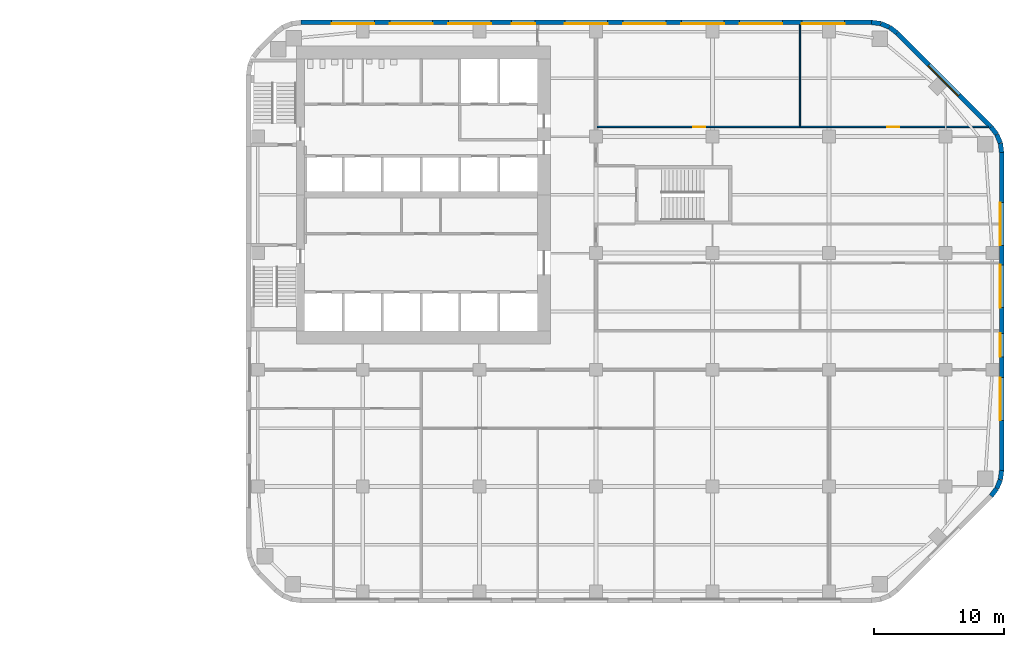
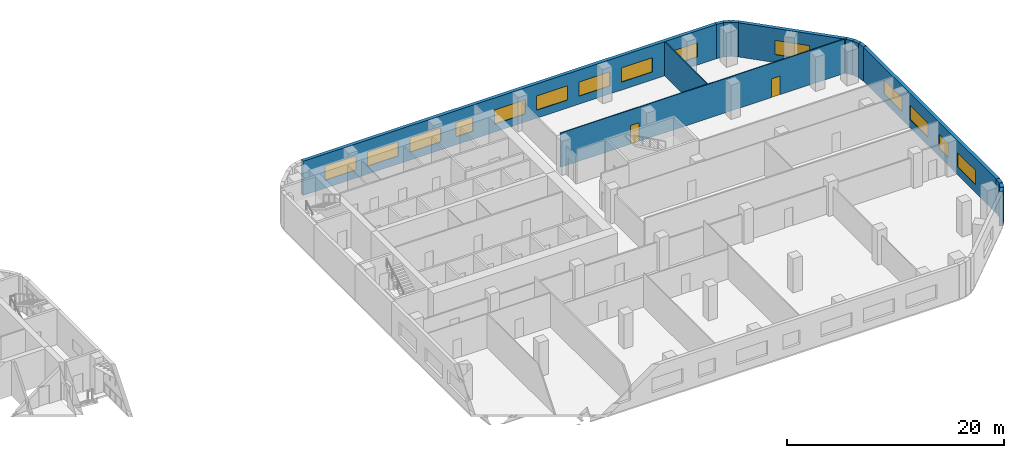
# One storey, part 12 of 16: 14 walls, 14 windows, 2 doors, 16 openings.
"""IFC4 building model written with IfcOpenShell, lengths in metres."""

from ifc_helpers import new_model, si_unit, direction, frame, frame_2d, origin, place, context, subcontext, project, spatial, rectangle, extrude, material, layer, layer_set, type_object, element, fill, save


model = new_model("IFC4")

# Units and contexts
model_context = context("Model", 3, precision=1e-05, world=origin(), true_north=direction((0.0, 1.0)))
body_context = subcontext(model_context, "Body", "Model", "MODEL_VIEW")
ifc_project = project(units=[si_unit("LENGTHUNIT", "METRE"), si_unit("AREAUNIT", "SQUARE_METRE"), si_unit("VOLUMEUNIT", "CUBIC_METRE"), si_unit("PLANEANGLEUNIT", "RADIAN"), si_unit("MASSUNIT", "GRAM", prefix="KILO")], contexts=[model_context])

# Site, building, storey
site_placement = place(None, origin())
site = spatial("IfcSite", under=ifc_project, at=site_placement, CompositionType="ELEMENT")
building_placement = place(site_placement, origin())
building = spatial("IfcBuilding", under=site, at=building_placement, Name="Cinnabar Reach Civic Tower", CompositionType="ELEMENT")
storey_placement = place(building_placement, frame((0.0, 0.0, 30.0)))
storey = spatial("IfcBuildingStorey", under=building, at=storey_placement, Name="L06", CompositionType="ELEMENT", Elevation=30.0)

# Walls
ifc_material_1 = material(Name="Facing brick with insulated backing", Category="masonry")
ifc_layer_1 = layer(ifc_material_1, 0.36)
ifc_layer_set_1 = layer_set([ifc_layer_1], Name="Brick corner wall")
wall_type_1 = type_object("IfcWallType", Name="Brick corner wall", PredefinedType="STANDARD", material=ifc_layer_set_1)
wall_1_placement = place(storey_placement, frame((57.4998, 8.2587, 0.0), z_axis=(0.0, 0.0, 1.0), x_axis=(0.608802368033, 0.793321924995, 0.0)))
element("IfcWall", 1, at=wall_1_placement, inside=storey, type_object=wall_type_1, Name="Brick corner wall", PredefinedType="STANDARD", context=body_context, shape_type="SweptSolid", body=[
    extrude(rectangle(XDim=0.7132, YDim=0.36, at=frame_2d((0.3566, 0.0))), origin(), (0.0, 0.0, 1.0), 3.85),
])
for number, where, z_axis, x_axis, name in (
    (2, (57.9452, 8.8439, 0.0), (0.0, 0.0, 1.0), (0.382702709855, 0.923871547278, 0.0), "Brick corner wall"),
    (3, (58.2239, 9.5244, 0.0), (0.0, 0.0, 1.0), (0.13055608231, 0.99144092581, 0.0), "Brick corner wall"),
    (4, (58.317, 34.7686, 0.0), (0.0, 0.0, 1.0), (-0.13055608231, 0.99144092581, 0.0), "Brick corner wall"),
    (5, (58.2181, 35.4973, 0.0), (0.0, 0.0, 1.0), (-0.382702709855, 0.923871547278, 0.0), "Brick corner wall"),
):
    element("IfcWall", number, at=place(storey_placement, frame(where, z_axis=z_axis, x_axis=x_axis)), inside=storey, type_object=wall_type_1, Name=name, PredefinedType="STANDARD", context=body_context, shape_type="SweptSolid", body=[
        extrude(rectangle(XDim=0.7131, YDim=0.36, at=frame_2d((0.3565, 0.0))), origin(), (0.0, 0.0, 1.0), 3.85),
    ])
for number, where, z_axis, x_axis, name in (
    (6, (57.934, 36.1755, 0.0), (0.0, 0.0, 1.0), (-0.608802368033, 0.793321924995, 0.0), "Brick corner wall"),
    (7, (50.2413, 43.9998, 0.0), (0.0, 0.0, 1.0), (-0.793321924995, 0.608802368033, 0.0), "Brick corner wall"),
):
    element("IfcWall", number, at=place(storey_placement, frame(where, z_axis=z_axis, x_axis=x_axis)), inside=storey, type_object=wall_type_1, Name=name, PredefinedType="STANDARD", context=body_context, shape_type="SweptSolid", body=[
        extrude(rectangle(XDim=0.7132, YDim=0.36, at=frame_2d((0.3566, 0.0))), origin(), (0.0, 0.0, 1.0), 3.85),
    ])
for number, where, z_axis, x_axis, name in (
    (8, (49.6561, 44.4452, 0.0), (0.0, 0.0, 1.0), (-0.923871547278, 0.382702709855, 0.0), "Brick corner wall"),
    (9, (48.9756, 44.7239, 0.0), (0.0, 0.0, 1.0), (-0.99144092581, 0.13055608231, 0.0), "Brick corner wall"),
):
    element("IfcWall", number, at=place(storey_placement, frame(where, z_axis=z_axis, x_axis=x_axis)), inside=storey, type_object=wall_type_1, Name=name, PredefinedType="STANDARD", context=body_context, shape_type="SweptSolid", body=[
        extrude(rectangle(XDim=0.7131, YDim=0.36, at=frame_2d((0.3565, 0.0))), origin(), (0.0, 0.0, 1.0), 3.85),
    ])

# Wall, openings, windows
ifc_layer_2 = layer(ifc_material_1, 0.36)
ifc_layer_set_2 = layer_set([ifc_layer_2], Name="Brick pier and spandrel wall")
wall_type_2 = type_object("IfcWallType", Name="Brick pier and spandrel wall", PredefinedType="STANDARD", material=ifc_layer_set_2)
wall_2_placement = place(storey_placement, frame((58.32, 10.2426, 0.0), z_axis=(0.0, 0.0, 1.0), x_axis=(0.0, 1.0, 0.0)))
wall_2 = element("IfcWall", 10, at=wall_2_placement, inside=storey, type_object=wall_type_2, Name="Brick facade wall", PredefinedType="STANDARD", context=body_context, shape_type="SweptSolid", body=[
    extrude(rectangle(XDim=24.5148, YDim=0.36, at=frame_2d((12.2574, 0.0))), origin(), (0.0, 0.0, 1.0), 3.85),
])
opening_1_placement = place(wall_2_placement, frame((3.8574, 0.0, 0.9)))
opening_1 = element("IfcOpeningElement", 11, at=opening_1_placement, cuts=wall_2, Name="Opening W1034", PredefinedType="OPENING", context=body_context, shape_type="SweptSolid", body=[
    extrude(rectangle(XDim=3.3, YDim=1.6, at=frame_2d((1.65, 0.8))), frame((0.0, 0.19, 0.0), z_axis=(0.0, -1.0, 0.0), x_axis=(1.0, 0.0, 0.0)), (0.0, 0.0, 1.0), 0.38),
])
opening_2_placement = place(wall_2_placement, frame((8.7574, 0.0, 0.9)))
opening_2 = element("IfcOpeningElement", 12, at=opening_2_placement, cuts=wall_2, Name="Opening W1035", PredefinedType="OPENING", context=body_context, shape_type="SweptSolid", body=[
    extrude(rectangle(XDim=1.8, YDim=1.6, at=frame_2d((0.9, 0.8))), frame((0.0, 0.19, 0.0), z_axis=(0.0, -1.0, 0.0), x_axis=(1.0, 0.0, 0.0)), (0.0, 0.0, 1.0), 0.38),
])
opening_3_placement = place(wall_2_placement, frame((12.5574, 0.0, 0.9)))
opening_3 = element("IfcOpeningElement", 13, at=opening_3_placement, cuts=wall_2, Name="Opening W1036", PredefinedType="OPENING", context=body_context, shape_type="SweptSolid", body=[
    extrude(rectangle(XDim=3.3, YDim=1.6, at=frame_2d((1.65, 0.8))), frame((0.0, 0.19, 0.0), z_axis=(0.0, -1.0, 0.0), x_axis=(1.0, 0.0, 0.0)), (0.0, 0.0, 1.0), 0.38),
])
opening_4_placement = place(wall_2_placement, frame((17.3574, 0.0, 0.9)))
opening_4 = element("IfcOpeningElement", 14, at=opening_4_placement, cuts=wall_2, Name="Opening W1037", PredefinedType="OPENING", context=body_context, shape_type="SweptSolid", body=[
    extrude(rectangle(XDim=3.3, YDim=1.6, at=frame_2d((1.65, 0.8))), frame((0.0, 0.19, 0.0), z_axis=(0.0, -1.0, 0.0), x_axis=(1.0, 0.0, 0.0)), (0.0, 0.0, 1.0), 0.38),
])
ifc_material_2 = material(Name="Clear double glazing in aluminium frame", Category="aluminium")
window_type_1 = type_object("IfcWindowType", Name="Deep-set window A", PartitioningType="SINGLE_PANEL", PredefinedType="WINDOW", material=ifc_material_2)
window_1_placement = place(opening_1_placement, origin())
window_1 = element("IfcWindow", 15, at=window_1_placement, inside=storey, type_object=window_type_1, Name="Window east face", OverallHeight=1.6, OverallWidth=3.3, PartitioningType="SINGLE_PANEL", PredefinedType="WINDOW", context=body_context, shape_type="SweptSolid", body=[
    extrude(rectangle(XDim=3.3, YDim=1.6, at=frame_2d((1.65, 0.8))), frame((0.0, 0.13, 0.0), z_axis=(0.0, -1.0, 0.0), x_axis=(1.0, 0.0, 0.0)), (0.0, 0.0, 1.0), 0.06),
])
fill(opening_1, window_1)
window_2_placement = place(opening_3_placement, origin())
window_2 = element("IfcWindow", 16, at=window_2_placement, inside=storey, type_object=window_type_1, Name="Window east face", OverallHeight=1.6, OverallWidth=3.3, PartitioningType="SINGLE_PANEL", PredefinedType="WINDOW", context=body_context, shape_type="SweptSolid", body=[
    extrude(rectangle(XDim=3.3, YDim=1.6, at=frame_2d((1.65, 0.8))), frame((0.0, 0.13, 0.0), z_axis=(0.0, -1.0, 0.0), x_axis=(1.0, 0.0, 0.0)), (0.0, 0.0, 1.0), 0.06),
])
fill(opening_3, window_2)
window_3_placement = place(opening_4_placement, origin())
window_3 = element("IfcWindow", 17, at=window_3_placement, inside=storey, type_object=window_type_1, Name="Window east face", OverallHeight=1.6, OverallWidth=3.3, PartitioningType="SINGLE_PANEL", PredefinedType="WINDOW", context=body_context, shape_type="SweptSolid", body=[
    extrude(rectangle(XDim=3.3, YDim=1.6, at=frame_2d((1.65, 0.8))), frame((0.0, 0.13, 0.0), z_axis=(0.0, -1.0, 0.0), x_axis=(1.0, 0.0, 0.0)), (0.0, 0.0, 1.0), 0.06),
])
fill(opening_4, window_3)
window_type_2 = type_object("IfcWindowType", Name="Deep-set window D", PartitioningType="SINGLE_PANEL", PredefinedType="WINDOW", material=ifc_material_2)
window_4_placement = place(opening_2_placement, origin())
window_4 = element("IfcWindow", 18, at=window_4_placement, inside=storey, type_object=window_type_2, Name="Window east face", OverallHeight=1.6, OverallWidth=1.8, PartitioningType="SINGLE_PANEL", PredefinedType="WINDOW", context=body_context, shape_type="SweptSolid", body=[
    extrude(rectangle(XDim=1.8, YDim=1.6, at=frame_2d((0.9, 0.8))), frame((0.0, 0.13, 0.0), z_axis=(0.0, -1.0, 0.0), x_axis=(1.0, 0.0, 0.0)), (0.0, 0.0, 1.0), 0.06),
])
fill(opening_2, window_4)

# Wall, opening, window
wall_3_placement = place(storey_placement, frame((57.494, 36.7514, 0.0), z_axis=(0.0, 0.0, 1.0), x_axis=(-0.707106781187, 0.707106781187, 0.0)))
wall_3 = element("IfcWall", 19, at=wall_3_placement, inside=storey, type_object=wall_type_2, Name="Brick facade wall", PredefinedType="STANDARD", context=body_context, shape_type="SweptSolid", body=[
    extrude(rectangle(XDim=10.2426, YDim=0.36, at=frame_2d((5.1213, 0.0))), origin(), (0.0, 0.0, 1.0), 3.85),
])
opening_5_placement = place(wall_3_placement, frame((3.4713, 0.0, 0.9)))
opening_5 = element("IfcOpeningElement", 20, at=opening_5_placement, cuts=wall_3, Name="Opening W1038", PredefinedType="OPENING", context=body_context, shape_type="SweptSolid", body=[
    extrude(rectangle(XDim=3.3, YDim=1.6, at=frame_2d((1.65, 0.8))), frame((0.0, 0.19, 0.0), z_axis=(0.0, -1.0, 0.0), x_axis=(1.0, 0.0, 0.0)), (0.0, 0.0, 1.0), 0.38),
])
window_5_placement = place(opening_5_placement, origin())
window_5 = element("IfcWindow", 21, at=window_5_placement, inside=storey, type_object=window_type_1, Name="Window northeast face", OverallHeight=1.6, OverallWidth=3.3, PartitioningType="SINGLE_PANEL", PredefinedType="WINDOW", context=body_context, shape_type="SweptSolid", body=[
    extrude(rectangle(XDim=3.3, YDim=1.6, at=frame_2d((1.65, 0.8))), frame((0.0, 0.13, 0.0), z_axis=(0.0, -1.0, 0.0), x_axis=(1.0, 0.0, 0.0)), (0.0, 0.0, 1.0), 0.06),
])
fill(opening_5, window_5)

# Wall, openings, windows
wall_4_placement = place(storey_placement, frame((48.2574, 44.82, 0.0), z_axis=(0.0, 0.0, 1.0), x_axis=(-1.0, 0.0, 0.0)))
wall_4 = element("IfcWall", 22, at=wall_4_placement, inside=storey, type_object=wall_type_2, Name="Brick facade wall", PredefinedType="STANDARD", context=body_context, shape_type="SweptSolid", body=[
    extrude(rectangle(XDim=44.0148, YDim=0.36, at=frame_2d((22.0074, 0.0))), origin(), (0.0, 0.0, 1.0), 3.85),
])
opening_6_placement = place(wall_4_placement, frame((2.0574, 0.0, 0.9)))
opening_6 = element("IfcOpeningElement", 23, at=opening_6_placement, cuts=wall_4, Name="Opening W1039", PredefinedType="OPENING", context=body_context, shape_type="SweptSolid", body=[
    extrude(rectangle(XDim=3.3, YDim=1.6, at=frame_2d((1.65, 0.8))), frame((0.0, 0.19, 0.0), z_axis=(0.0, -1.0, 0.0), x_axis=(1.0, 0.0, 0.0)), (0.0, 0.0, 1.0), 0.38),
])
opening_7_placement = place(wall_4_placement, frame((6.8574, 0.0, 0.9)))
opening_7 = element("IfcOpeningElement", 24, at=opening_7_placement, cuts=wall_4, Name="Opening W1040", PredefinedType="OPENING", context=body_context, shape_type="SweptSolid", body=[
    extrude(rectangle(XDim=3.3, YDim=1.6, at=frame_2d((1.65, 0.8))), frame((0.0, 0.19, 0.0), z_axis=(0.0, -1.0, 0.0), x_axis=(1.0, 0.0, 0.0)), (0.0, 0.0, 1.0), 0.38),
])
opening_8_placement = place(wall_4_placement, frame((11.3574, 0.0, 0.9)))
opening_8 = element("IfcOpeningElement", 25, at=opening_8_placement, cuts=wall_4, Name="Opening W1041", PredefinedType="OPENING", context=body_context, shape_type="SweptSolid", body=[
    extrude(rectangle(XDim=3.3, YDim=1.6, at=frame_2d((1.65, 0.8))), frame((0.0, 0.19, 0.0), z_axis=(0.0, -1.0, 0.0), x_axis=(1.0, 0.0, 0.0)), (0.0, 0.0, 1.0), 0.38),
])
opening_9_placement = place(wall_4_placement, frame((15.8574, 0.0, 0.9)))
opening_9 = element("IfcOpeningElement", 26, at=opening_9_placement, cuts=wall_4, Name="Opening W1042", PredefinedType="OPENING", context=body_context, shape_type="SweptSolid", body=[
    extrude(rectangle(XDim=3.3, YDim=1.6, at=frame_2d((1.65, 0.8))), frame((0.0, 0.19, 0.0), z_axis=(0.0, -1.0, 0.0), x_axis=(1.0, 0.0, 0.0)), (0.0, 0.0, 1.0), 0.38),
])
opening_10_placement = place(wall_4_placement, frame((20.3574, 0.0, 0.9)))
opening_10 = element("IfcOpeningElement", 27, at=opening_10_placement, cuts=wall_4, Name="Opening W1043", PredefinedType="OPENING", context=body_context, shape_type="SweptSolid", body=[
    extrude(rectangle(XDim=3.3, YDim=1.6, at=frame_2d((1.65, 0.8))), frame((0.0, 0.19, 0.0), z_axis=(0.0, -1.0, 0.0), x_axis=(1.0, 0.0, 0.0)), (0.0, 0.0, 1.0), 0.38),
])
opening_11_placement = place(wall_4_placement, frame((25.9574, 0.0, 0.9)))
opening_11 = element("IfcOpeningElement", 28, at=opening_11_placement, cuts=wall_4, Name="Opening W1044", PredefinedType="OPENING", context=body_context, shape_type="SweptSolid", body=[
    extrude(rectangle(XDim=1.8, YDim=1.6, at=frame_2d((0.9, 0.8))), frame((0.0, 0.19, 0.0), z_axis=(0.0, -1.0, 0.0), x_axis=(1.0, 0.0, 0.0)), (0.0, 0.0, 1.0), 0.38),
])
opening_12_placement = place(wall_4_placement, frame((29.3574, 0.0, 0.9)))
opening_12 = element("IfcOpeningElement", 29, at=opening_12_placement, cuts=wall_4, Name="Opening W1045", PredefinedType="OPENING", context=body_context, shape_type="SweptSolid", body=[
    extrude(rectangle(XDim=3.3, YDim=1.6, at=frame_2d((1.65, 0.8))), frame((0.0, 0.19, 0.0), z_axis=(0.0, -1.0, 0.0), x_axis=(1.0, 0.0, 0.0)), (0.0, 0.0, 1.0), 0.38),
])
opening_13_placement = place(wall_4_placement, frame((33.8574, 0.0, 0.9)))
opening_13 = element("IfcOpeningElement", 30, at=opening_13_placement, cuts=wall_4, Name="Opening W1046", PredefinedType="OPENING", context=body_context, shape_type="SweptSolid", body=[
    extrude(rectangle(XDim=3.3, YDim=1.6, at=frame_2d((1.65, 0.8))), frame((0.0, 0.19, 0.0), z_axis=(0.0, -1.0, 0.0), x_axis=(1.0, 0.0, 0.0)), (0.0, 0.0, 1.0), 0.38),
])
opening_14_placement = place(wall_4_placement, frame((38.3574, 0.0, 0.9)))
opening_14 = element("IfcOpeningElement", 31, at=opening_14_placement, cuts=wall_4, Name="Opening W1047", PredefinedType="OPENING", context=body_context, shape_type="SweptSolid", body=[
    extrude(rectangle(XDim=3.3, YDim=1.6, at=frame_2d((1.65, 0.8))), frame((0.0, 0.19, 0.0), z_axis=(0.0, -1.0, 0.0), x_axis=(1.0, 0.0, 0.0)), (0.0, 0.0, 1.0), 0.38),
])
window_6_placement = place(opening_6_placement, origin())
window_6 = element("IfcWindow", 32, at=window_6_placement, inside=storey, type_object=window_type_1, Name="Window north face", OverallHeight=1.6, OverallWidth=3.3, PartitioningType="SINGLE_PANEL", PredefinedType="WINDOW", context=body_context, shape_type="SweptSolid", body=[
    extrude(rectangle(XDim=3.3, YDim=1.6, at=frame_2d((1.65, 0.8))), frame((0.0, 0.13, 0.0), z_axis=(0.0, -1.0, 0.0), x_axis=(1.0, 0.0, 0.0)), (0.0, 0.0, 1.0), 0.06),
])
fill(opening_6, window_6)
window_7_placement = place(opening_7_placement, origin())
window_7 = element("IfcWindow", 33, at=window_7_placement, inside=storey, type_object=window_type_1, Name="Window north face", OverallHeight=1.6, OverallWidth=3.3, PartitioningType="SINGLE_PANEL", PredefinedType="WINDOW", context=body_context, shape_type="SweptSolid", body=[
    extrude(rectangle(XDim=3.3, YDim=1.6, at=frame_2d((1.65, 0.8))), frame((0.0, 0.13, 0.0), z_axis=(0.0, -1.0, 0.0), x_axis=(1.0, 0.0, 0.0)), (0.0, 0.0, 1.0), 0.06),
])
fill(opening_7, window_7)
window_8_placement = place(opening_8_placement, origin())
window_8 = element("IfcWindow", 34, at=window_8_placement, inside=storey, type_object=window_type_1, Name="Window north face", OverallHeight=1.6, OverallWidth=3.3, PartitioningType="SINGLE_PANEL", PredefinedType="WINDOW", context=body_context, shape_type="SweptSolid", body=[
    extrude(rectangle(XDim=3.3, YDim=1.6, at=frame_2d((1.65, 0.8))), frame((0.0, 0.13, 0.0), z_axis=(0.0, -1.0, 0.0), x_axis=(1.0, 0.0, 0.0)), (0.0, 0.0, 1.0), 0.06),
])
fill(opening_8, window_8)
window_9_placement = place(opening_9_placement, origin())
window_9 = element("IfcWindow", 35, at=window_9_placement, inside=storey, type_object=window_type_1, Name="Window north face", OverallHeight=1.6, OverallWidth=3.3, PartitioningType="SINGLE_PANEL", PredefinedType="WINDOW", context=body_context, shape_type="SweptSolid", body=[
    extrude(rectangle(XDim=3.3, YDim=1.6, at=frame_2d((1.65, 0.8))), frame((0.0, 0.13, 0.0), z_axis=(0.0, -1.0, 0.0), x_axis=(1.0, 0.0, 0.0)), (0.0, 0.0, 1.0), 0.06),
])
fill(opening_9, window_9)
window_10_placement = place(opening_10_placement, origin())
window_10 = element("IfcWindow", 36, at=window_10_placement, inside=storey, type_object=window_type_1, Name="Window north face", OverallHeight=1.6, OverallWidth=3.3, PartitioningType="SINGLE_PANEL", PredefinedType="WINDOW", context=body_context, shape_type="SweptSolid", body=[
    extrude(rectangle(XDim=3.3, YDim=1.6, at=frame_2d((1.65, 0.8))), frame((0.0, 0.13, 0.0), z_axis=(0.0, -1.0, 0.0), x_axis=(1.0, 0.0, 0.0)), (0.0, 0.0, 1.0), 0.06),
])
fill(opening_10, window_10)
window_11_placement = place(opening_12_placement, origin())
window_11 = element("IfcWindow", 37, at=window_11_placement, inside=storey, type_object=window_type_1, Name="Window north face", OverallHeight=1.6, OverallWidth=3.3, PartitioningType="SINGLE_PANEL", PredefinedType="WINDOW", context=body_context, shape_type="SweptSolid", body=[
    extrude(rectangle(XDim=3.3, YDim=1.6, at=frame_2d((1.65, 0.8))), frame((0.0, 0.13, 0.0), z_axis=(0.0, -1.0, 0.0), x_axis=(1.0, 0.0, 0.0)), (0.0, 0.0, 1.0), 0.06),
])
fill(opening_12, window_11)
window_12_placement = place(opening_13_placement, origin())
window_12 = element("IfcWindow", 38, at=window_12_placement, inside=storey, type_object=window_type_1, Name="Window north face", OverallHeight=1.6, OverallWidth=3.3, PartitioningType="SINGLE_PANEL", PredefinedType="WINDOW", context=body_context, shape_type="SweptSolid", body=[
    extrude(rectangle(XDim=3.3, YDim=1.6, at=frame_2d((1.65, 0.8))), frame((0.0, 0.13, 0.0), z_axis=(0.0, -1.0, 0.0), x_axis=(1.0, 0.0, 0.0)), (0.0, 0.0, 1.0), 0.06),
])
fill(opening_13, window_12)
window_13_placement = place(opening_14_placement, origin())
window_13 = element("IfcWindow", 39, at=window_13_placement, inside=storey, type_object=window_type_1, Name="Window north face", OverallHeight=1.6, OverallWidth=3.3, PartitioningType="SINGLE_PANEL", PredefinedType="WINDOW", context=body_context, shape_type="SweptSolid", body=[
    extrude(rectangle(XDim=3.3, YDim=1.6, at=frame_2d((1.65, 0.8))), frame((0.0, 0.13, 0.0), z_axis=(0.0, -1.0, 0.0), x_axis=(1.0, 0.0, 0.0)), (0.0, 0.0, 1.0), 0.06),
])
fill(opening_14, window_13)
window_14_placement = place(opening_11_placement, origin())
window_14 = element("IfcWindow", 40, at=window_14_placement, inside=storey, type_object=window_type_2, Name="Window north face", OverallHeight=1.6, OverallWidth=1.8, PartitioningType="SINGLE_PANEL", PredefinedType="WINDOW", context=body_context, shape_type="SweptSolid", body=[
    extrude(rectangle(XDim=1.8, YDim=1.6, at=frame_2d((0.9, 0.8))), frame((0.0, 0.13, 0.0), z_axis=(0.0, -1.0, 0.0), x_axis=(1.0, 0.0, 0.0)), (0.0, 0.0, 1.0), 0.06),
])
fill(opening_11, window_14)

# Wall, openings, doors
ifc_material_3 = material(Name="Gypsum board on steel studs", Category="steel")
ifc_layer_3 = layer(ifc_material_3, 0.1)
ifc_layer_set_3 = layer_set([ifc_layer_3], Name="Partition wall 100 T1")
wall_type_3 = type_object("IfcWallType", Name="Partition wall 100 T1", PredefinedType="PARTITIONING", material=ifc_layer_set_3)
wall_5_placement = place(storey_placement, frame((27.075, 36.75, 0.0), z_axis=(0.0, 0.0, 1.0), x_axis=(1.0, 0.0, 0.0)))
wall_5 = element("IfcWall", 41, at=wall_5_placement, inside=storey, type_object=wall_type_3, Name="Partition wall 43", PredefinedType="PARTITIONING", context=body_context, shape_type="SweptSolid", body=[
    extrude(rectangle(XDim=30.2159, YDim=0.1, at=frame_2d((15.108, 0.0))), origin(), (0.0, 0.0, 1.0), 3.85),
])
opening_15_placement = place(wall_5_placement, frame((7.45, 0.0, 0.0)))
opening_15 = element("IfcOpeningElement", 42, at=opening_15_placement, cuts=wall_5, Name="Opening D3259", PredefinedType="OPENING", context=body_context, shape_type="SweptSolid", body=[
    extrude(rectangle(XDim=0.9, YDim=2.1, at=frame_2d((0.45, 1.05))), frame((0.0, 0.06, 0.0), z_axis=(0.0, -1.0, 0.0), x_axis=(1.0, 0.0, 0.0)), (0.0, 0.0, 1.0), 0.12),
])
opening_16_placement = place(wall_5_placement, frame((22.425, 0.0, 0.0)))
opening_16 = element("IfcOpeningElement", 43, at=opening_16_placement, cuts=wall_5, Name="Opening D3260", PredefinedType="OPENING", context=body_context, shape_type="SweptSolid", body=[
    extrude(rectangle(XDim=0.9, YDim=2.1, at=frame_2d((0.45, 1.05))), frame((0.0, 0.06, 0.0), z_axis=(0.0, -1.0, 0.0), x_axis=(1.0, 0.0, 0.0)), (0.0, 0.0, 1.0), 0.12),
])
ifc_material_4 = material(Name="Timber door leaf in steel frame", Category="steel")
door_type = type_object("IfcDoorType", Name="Single swing door 900 x 2100 T1", OperationType="SINGLE_SWING_LEFT", PredefinedType="DOOR", material=ifc_material_4)
door_1_placement = place(opening_15_placement, origin())
door_1 = element("IfcDoor", 44, at=door_1_placement, inside=storey, type_object=door_type, Name="Door D3259", OperationType="SINGLE_SWING_RIGHT", OverallHeight=2.1, OverallWidth=0.9, PredefinedType="DOOR", context=body_context, shape_type="SweptSolid", body=[
    extrude(rectangle(XDim=0.9, YDim=2.1, at=frame_2d((0.45, 1.05))), frame((0.0, 0.025, 0.0), z_axis=(0.0, -1.0, 0.0), x_axis=(1.0, 0.0, 0.0)), (0.0, 0.0, 1.0), 0.05),
])
fill(opening_15, door_1)
door_2_placement = place(opening_16_placement, origin())
door_2 = element("IfcDoor", 45, at=door_2_placement, inside=storey, type_object=door_type, Name="Door D3260", OperationType="SINGLE_SWING_RIGHT", OverallHeight=2.1, OverallWidth=0.9, PredefinedType="DOOR", context=body_context, shape_type="SweptSolid", body=[
    extrude(rectangle(XDim=0.9, YDim=2.1, at=frame_2d((0.45, 1.05))), frame((0.0, 0.025, 0.0), z_axis=(0.0, -1.0, 0.0), x_axis=(1.0, 0.0, 0.0)), (0.0, 0.0, 1.0), 0.05),
])
fill(opening_16, door_2)

# Wall
wall_6_placement = place(storey_placement, frame((42.75, 36.8, 0.0), z_axis=(0.0, 0.0, 1.0), x_axis=(0.0, 1.0, 0.0)))
element("IfcWall", 46, at=wall_6_placement, inside=storey, type_object=wall_type_3, Name="Partition wall 53", PredefinedType="PARTITIONING", context=body_context, shape_type="SweptSolid", body=[
    extrude(rectangle(XDim=7.84, YDim=0.1, at=frame_2d((3.92, 0.0))), origin(), (0.0, 0.0, 1.0), 3.85),
])

save(model, "model.ifc")
